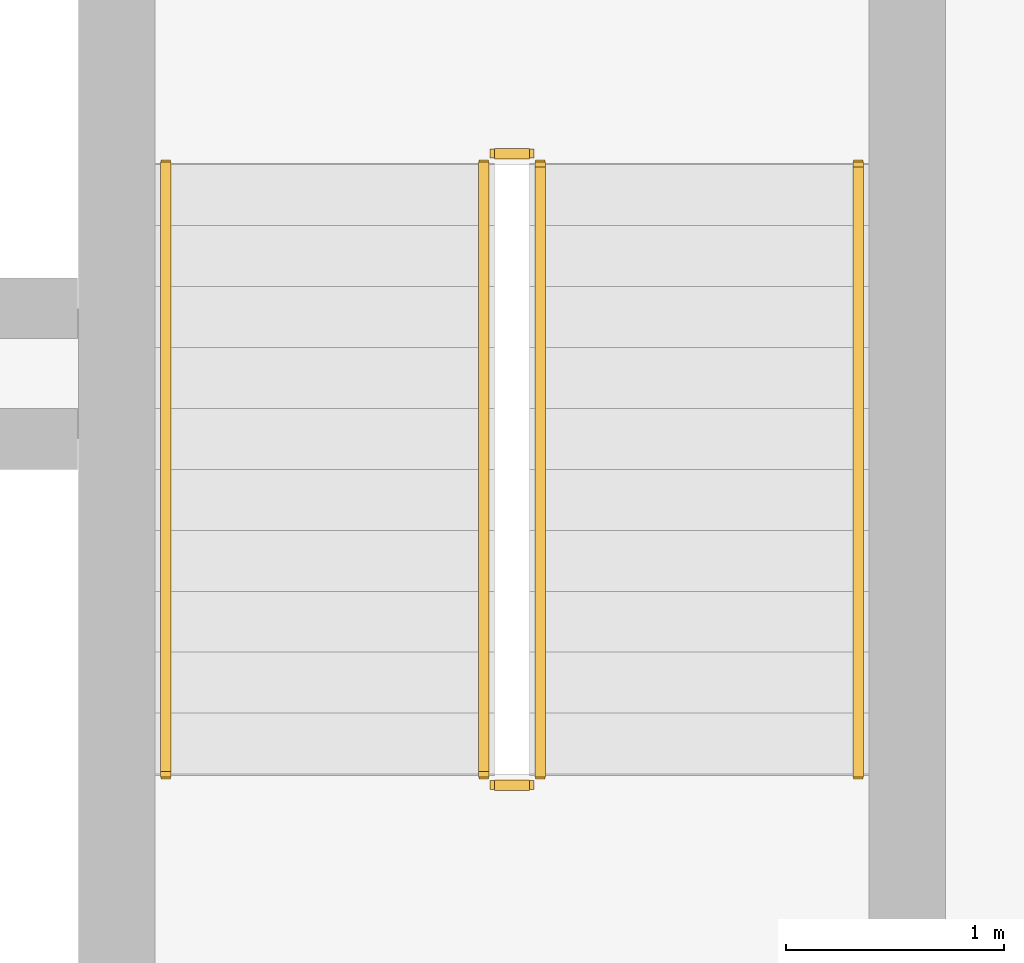
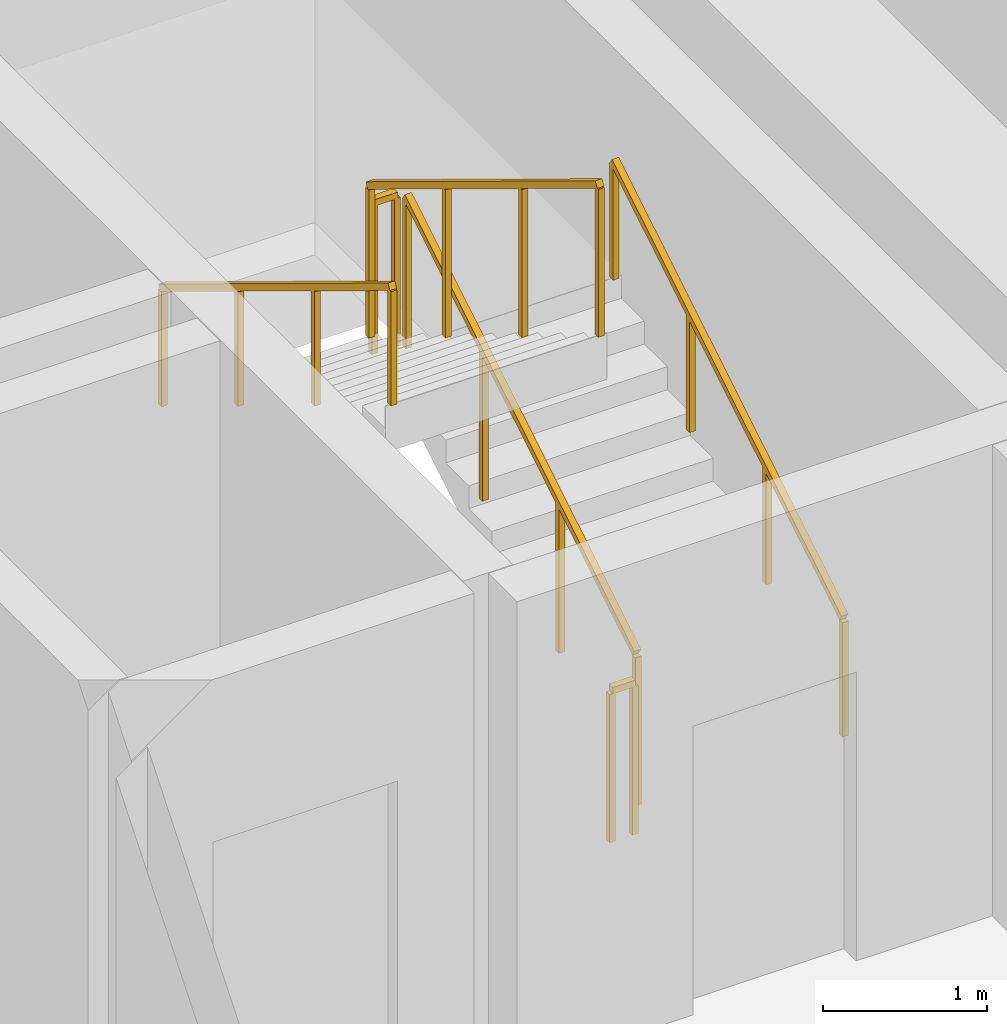
# One storey, part 14 of 14: 6 railings.
"""IFC4 building model written with IfcOpenShell, lengths in metres."""

from ifc_helpers import new_model, si_unit, direction, frame, origin, origin_2d, place, context, subcontext, project, spatial, rectangle, extrude, material, type_object, element, save


model = new_model("IFC4")

# Units and contexts
model_context = context("Model", 3, precision=1e-05, world=origin(), true_north=direction((0.0, 1.0)))
body_context = subcontext(model_context, "Body", "Model", "MODEL_VIEW")
ifc_project = project(units=[si_unit("LENGTHUNIT", "METRE"), si_unit("AREAUNIT", "SQUARE_METRE"), si_unit("VOLUMEUNIT", "CUBIC_METRE"), si_unit("PLANEANGLEUNIT", "RADIAN"), si_unit("MASSUNIT", "GRAM", prefix="KILO")], contexts=[model_context])

# Site, building, storey
site_placement = place(None, origin())
site = spatial("IfcSite", under=ifc_project, at=site_placement, CompositionType="ELEMENT")
building_placement = place(site_placement, origin())
building = spatial("IfcBuilding", under=site, at=building_placement, Name="Kaelvorn Grand Hotel", CompositionType="ELEMENT")
storey_placement = place(building_placement, frame((0.0, 0.0, 93.050048828125)))
storey = spatial("IfcBuildingStorey", under=building, at=storey_placement, Name="L21", CompositionType="ELEMENT", Elevation=93.050048828125)

# Railings
ifc_material = material(Name="Stainless Steel", Category="steel")
railing_type_1 = type_object("IfcRailingType", Name="RL-HANDRAIL-900", PredefinedType="HANDRAIL", material=ifc_material)
railing_1_placement = place(storey_placement, frame((66.550048828125, 41.760009765625, 0.17041015625)))
element("IfcRailing", 1, at=railing_1_placement, inside=storey, type_object=railing_type_1, Name="L21 ST3 stair handrail 1", PredefinedType="HANDRAIL", context=body_context, shape_type="SweptSolid", body=[
    extrude(rectangle(XDim=0.048095703125, YDim=0.048095703125, at=origin_2d()), frame((0.0, 0.0, 0.8759765625), z_axis=(0.0, 0.854169791009, 0.51999420009), x_axis=(-1.0, 0.0, 0.0)), (0.0, 0.0, 1.0), 3.278076171875),
    extrude(rectangle(XDim=0.0419921875, YDim=0.0419921875, at=origin_2d()), origin(), (0.0, 0.0, 1.0), 0.851806640625),
    extrude(rectangle(XDim=0.0419921875, YDim=0.0419921875, at=origin_2d()), frame((0.0, 0.933349609375, 0.568115234375)), (0.0, 0.0, 1.0), 0.851806640625),
    extrude(rectangle(XDim=0.0419921875, YDim=0.0419921875, at=origin_2d()), frame((0.0, 1.86669921875, 1.136474609375)), (0.0, 0.0, 1.0), 0.851806640625),
    extrude(rectangle(XDim=0.0419921875, YDim=0.0419921875, at=origin_2d()), frame((0.0, 2.800048828125, 1.70458984375)), (0.0, 0.0, 1.0), 0.851806640625),
])
railing_2_placement = place(storey_placement, frame((63.3701171875, 44.56005859375, 2.04541015625)))
element("IfcRailing", 2, at=railing_2_placement, inside=storey, type_object=railing_type_1, Name="L21 ST3 stair handrail 2", PredefinedType="HANDRAIL", context=body_context, shape_type="SweptSolid", body=[
    extrude(rectangle(XDim=0.048095703125, YDim=0.048095703125, at=origin_2d()), frame((0.0, 0.0, 0.8759765625), z_axis=(0.0, -0.854169791009, 0.51999420009), x_axis=(1.0, 0.0, 0.0)), (0.0, 0.0, 1.0), 3.278076171875),
    extrude(rectangle(XDim=0.0419921875, YDim=0.0419921875, at=origin_2d()), origin(), (0.0, 0.0, 1.0), 0.851806640625),
    extrude(rectangle(XDim=0.0419921875, YDim=0.0419921875, at=origin_2d()), frame((0.0, -0.933349609375, 0.568115234375)), (0.0, 0.0, 1.0), 0.851806640625),
    extrude(rectangle(XDim=0.0419921875, YDim=0.0419921875, at=origin_2d()), frame((0.0, -1.86669921875, 1.136474609375)), (0.0, 0.0, 1.0), 0.851806640625),
    extrude(rectangle(XDim=0.0419921875, YDim=0.0419921875, at=origin_2d()), frame((0.0, -2.800048828125, 1.70458984375)), (0.0, 0.0, 1.0), 0.851806640625),
])
railing_type_2 = type_object("IfcRailingType", Name="RL-STAIR-GUARD-1150", PredefinedType="BALUSTRADE", material=ifc_material)
railing_3_placement = place(storey_placement, frame((65.090087890625, 41.760009765625, 0.17041015625)))
element("IfcRailing", 3, at=railing_3_placement, inside=storey, type_object=railing_type_2, Name="L21 ST3 stair guard 1", PredefinedType="BALUSTRADE", context=body_context, shape_type="SweptSolid", body=[
    extrude(rectangle(XDim=0.048095703125, YDim=0.048095703125, at=origin_2d()), frame((0.0, 0.0, 1.1259765625), z_axis=(0.0, 0.854169791009, 0.51999420009), x_axis=(-1.0, 0.0, 0.0)), (0.0, 0.0, 1.0), 3.278076171875),
    extrude(rectangle(XDim=0.0419921875, YDim=0.0419921875, at=origin_2d()), origin(), (0.0, 0.0, 1.0), 1.101806640625),
    extrude(rectangle(XDim=0.0419921875, YDim=0.0419921875, at=origin_2d()), frame((0.0, 0.933349609375, 0.568115234375)), (0.0, 0.0, 1.0), 1.101806640625),
    extrude(rectangle(XDim=0.0419921875, YDim=0.0419921875, at=origin_2d()), frame((0.0, 1.86669921875, 1.136474609375)), (0.0, 0.0, 1.0), 1.101806640625),
    extrude(rectangle(XDim=0.0419921875, YDim=0.0419921875, at=origin_2d()), frame((0.0, 2.800048828125, 1.70458984375)), (0.0, 0.0, 1.0), 1.101806640625),
])
railing_4_placement = place(storey_placement, frame((65.0400390625, 44.610107421875, 1.875)))
element("IfcRailing", 4, at=railing_4_placement, inside=storey, type_object=railing_type_2, Name="L21 ST3 stair guard 2", PredefinedType="BALUSTRADE", context=body_context, shape_type="SweptSolid", body=[
    extrude(rectangle(XDim=0.048095703125, YDim=0.048095703125, at=origin_2d()), frame((0.0, 0.0, 1.1259765625), z_axis=(-1.0, 0.0, 0.0), x_axis=(0.0, -1.0, 0.0)), (0.0, 0.0, 1.0), 0.16015625),
    extrude(rectangle(XDim=0.0419921875, YDim=0.0419921875, at=origin_2d()), origin(), (0.0, 0.0, 1.0), 1.101806640625),
    extrude(rectangle(XDim=0.0419921875, YDim=0.0419921875, at=origin_2d()), frame((-0.16015625, 0.0, 0.0)), (0.0, 0.0, 1.0), 1.101806640625),
])
railing_5_placement = place(storey_placement, frame((64.830078125, 44.56005859375, 2.04541015625)))
element("IfcRailing", 5, at=railing_5_placement, inside=storey, type_object=railing_type_2, Name="L21 ST3 stair guard 3", PredefinedType="BALUSTRADE", context=body_context, shape_type="SweptSolid", body=[
    extrude(rectangle(XDim=0.048095703125, YDim=0.048095703125, at=origin_2d()), frame((0.0, 0.0, 1.1259765625), z_axis=(0.0, -0.854169791009, 0.51999420009), x_axis=(1.0, 0.0, 0.0)), (0.0, 0.0, 1.0), 3.278076171875),
    extrude(rectangle(XDim=0.0419921875, YDim=0.0419921875, at=origin_2d()), origin(), (0.0, 0.0, 1.0), 1.101806640625),
    extrude(rectangle(XDim=0.0419921875, YDim=0.0419921875, at=origin_2d()), frame((0.0, -0.933349609375, 0.568115234375)), (0.0, 0.0, 1.0), 1.101806640625),
    extrude(rectangle(XDim=0.0419921875, YDim=0.0419921875, at=origin_2d()), frame((0.0, -1.86669921875, 1.136474609375)), (0.0, 0.0, 1.0), 1.101806640625),
    extrude(rectangle(XDim=0.0419921875, YDim=0.0419921875, at=origin_2d()), frame((0.0, -2.800048828125, 1.70458984375)), (0.0, 0.0, 1.0), 1.101806640625),
])
railing_6_placement = place(storey_placement, frame((65.0400390625, 41.7099609375, 0.0)))
element("IfcRailing", 6, at=railing_6_placement, inside=storey, type_object=railing_type_2, Name="L21 ST3 stair guard 4", PredefinedType="BALUSTRADE", context=body_context, shape_type="SweptSolid", body=[
    extrude(rectangle(XDim=0.048095703125, YDim=0.048095703125, at=origin_2d()), frame((0.0, 0.0, 1.1259765625), z_axis=(-1.0, 0.0, 0.0), x_axis=(0.0, -1.0, 0.0)), (0.0, 0.0, 1.0), 0.16015625),
    extrude(rectangle(XDim=0.0419921875, YDim=0.0419921875, at=origin_2d()), origin(), (0.0, 0.0, 1.0), 1.101806640625),
    extrude(rectangle(XDim=0.0419921875, YDim=0.0419921875, at=origin_2d()), frame((-0.16015625, 0.0, 0.0)), (0.0, 0.0, 1.0), 1.101806640625),
])

save(model, "model.ifc")
